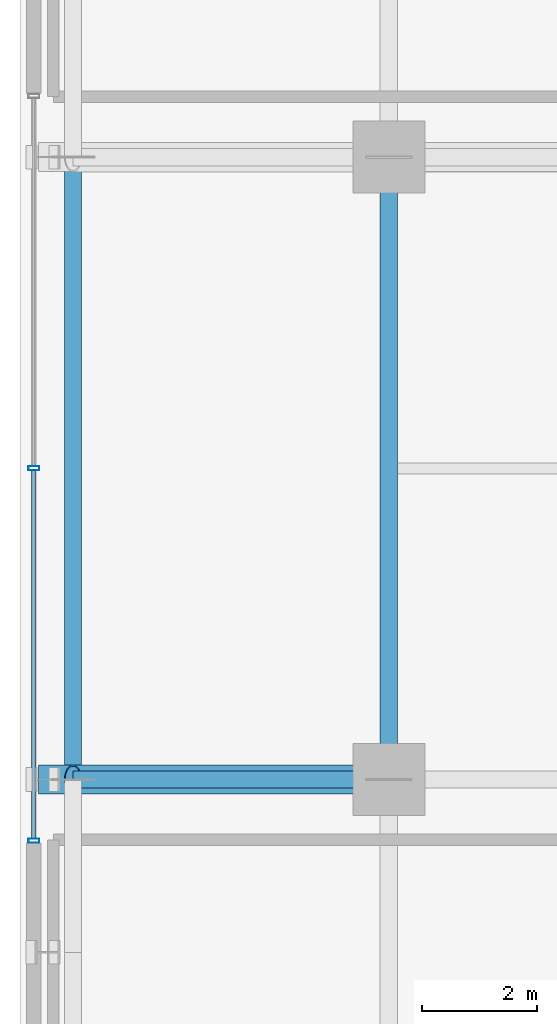
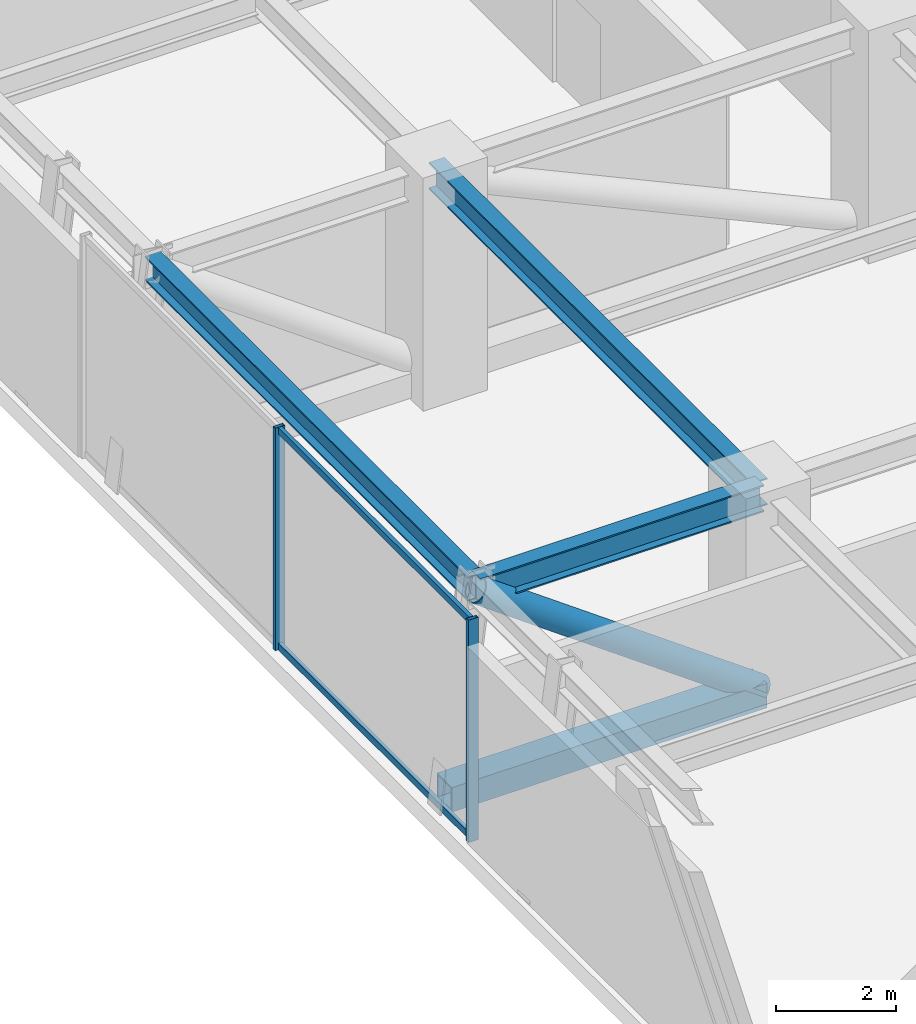
# One storey, part 2 of 15: 6 members, 3 beams, 1 element without a shape of its own.
"""IFC4 building model written with IfcOpenShell, lengths in metres."""

import ifcopenshell
import ifcopenshell.guid

model = None  # the IFC model being written
_history = None  # IfcOwnerHistory: only IFC2X3 demands one
_inside = {}  # id of a spatial element -> (the spatial element, [elements in it])
_under = {}  # id of a project, library or spatial element -> (it, [spatial elements below it])
_declared = {}  # id of a project -> (the project, [libraries it declares])
_typed = {}  # id of a type object -> (the type object, [elements of that type])
_made_of = {}  # id of a material, layer set ... -> (it, [elements and type objects made of it])


def new_model(schema):
    """Start an empty IFC model of exactly this schema.

    Asked for "IFC4X3", IfcOpenShell would pick the latest addendum, in which some entities
    have other attributes; the version numbers below select the first issue.
    IFC2X3 requires an IfcOwnerHistory on every rooted entity: one is made here for all.
    """
    global model, _history
    if schema == "IFC4X3":
        model = ifcopenshell.file(schema_version=(4, 3, 0, 0))
    else:
        model = ifcopenshell.file(schema=schema)
    _inside.clear()
    _under.clear()
    _declared.clear()
    _typed.clear()
    _made_of.clear()
    _history = None
    if model.schema == "IFC2X3":
        org = make("IfcOrganization", Name="unknown")
        user = make(
            "IfcPersonAndOrganization",
            ThePerson=make("IfcPerson", FamilyName="unknown"),
            TheOrganization=org,
        )
        app = make(
            "IfcApplication",
            ApplicationDeveloper=org,
            Version="unknown",
            ApplicationFullName="unknown",
            ApplicationIdentifier="unknown",
        )
        _history = make(
            "IfcOwnerHistory",
            OwningUser=user,
            OwningApplication=app,
            ChangeAction="ADDED",
            CreationDate=0,
        )
    return model


def make(cls, **values):
    """One entity of the class cls with the attributes given. An attribute that is None is left unset."""
    return model.create_entity(
        cls, **{name: value for name, value in values.items() if value is not None}
    )


def rooted(cls, **values):
    """An entity with a GlobalId (a new one), such as an element, a storey or a relation."""
    return make(cls, GlobalId=ifcopenshell.guid.new(), OwnerHistory=_history, **values)


def si_unit(unit_type, name, prefix=None):
    """IfcSIUnit, for example si_unit("LENGTHUNIT", "METRE", prefix="MILLI")."""
    return make("IfcSIUnit", UnitType=unit_type, Prefix=prefix, Name=name)


def assignment(units):
    """IfcUnitAssignment: the units of a project."""
    return None if units is None else make("IfcUnitAssignment", Units=units)


def point(xyz):
    """IfcCartesianPoint."""
    return None if xyz is None else make("IfcCartesianPoint", Coordinates=xyz)


def direction(xyz):
    """IfcDirection."""
    return None if xyz is None else make("IfcDirection", DirectionRatios=xyz)


def frame(location, z_axis=None, x_axis=None):
    """IfcAxis2Placement3D, a coordinate frame: its origin and axes. An axis left out is left unset."""
    return make(
        "IfcAxis2Placement3D",
        Location=point(location),
        Axis=direction(z_axis),
        RefDirection=direction(x_axis),
    )


def frame_2d(location, x_axis=None):
    """IfcAxis2Placement2D, a coordinate frame in the plane: its origin and x axis."""
    return make(
        "IfcAxis2Placement2D", Location=point(location), RefDirection=direction(x_axis)
    )


def origin():
    """The frame at (0, 0, 0) with its axes left unset."""
    return frame((0.0, 0.0, 0.0))


def origin_2d():
    """The frame at (0, 0) in the plane with its x axis left unset."""
    return frame_2d((0.0, 0.0))


def place(relative_to, where):
    """IfcLocalPlacement: puts the frame where relative to a parent placement (None: the world)."""
    return make(
        "IfcLocalPlacement", PlacementRelTo=relative_to, RelativePlacement=where
    )


def context(
    kind, dimensions, precision=None, world=None, true_north=None, identifier=None
):
    """IfcGeometricRepresentationContext, for example the 3D "Model" context."""
    return make(
        "IfcGeometricRepresentationContext",
        ContextIdentifier=identifier,
        ContextType=kind,
        CoordinateSpaceDimension=dimensions,
        Precision=precision,
        WorldCoordinateSystem=world,
        TrueNorth=true_north,
    )


def subcontext(parent, identifier, kind, view, scale=None):
    """IfcGeometricRepresentationSubContext, for example "Body" below "Model"."""
    return make(
        "IfcGeometricRepresentationSubContext",
        ContextIdentifier=identifier,
        ContextType=kind,
        ParentContext=parent,
        TargetScale=scale,
        TargetView=view,
    )


def project(units=None, contexts=None):
    """IfcProject with its units and contexts."""
    return rooted(
        "IfcProject",
        Name="project",
        RepresentationContexts=contexts,
        UnitsInContext=assignment(units),
    )


def spatial(cls, under=None, at=None, **own):
    """A site, building, storey or space (cls), placed at a placement, below another one or the project."""
    s = rooted(cls, ObjectPlacement=at, **own)
    if under is not None:
        _under.setdefault(under.id(), (under, []))[1].append(s)
    return s


def profile(cls, at=None, kind="AREA", **sizes):
    """A parametric profile (cls). Its sizes go by their IFC names, for example OverallWidth=200.0."""
    return make(cls, ProfileType=kind, Position=at, **sizes)


def hollow_rectangle(**sizes):
    """IfcRectangleHollowProfileDef."""
    return profile("IfcRectangleHollowProfileDef", **sizes)


def hollow_circle(**sizes):
    """IfcCircleHollowProfileDef."""
    return profile("IfcCircleHollowProfileDef", **sizes)


def i_section(**sizes):
    """IfcIShapeProfileDef."""
    return profile("IfcIShapeProfileDef", **sizes)


def extrude(swept, where, along, depth):
    """IfcExtrudedAreaSolid: the profile swept, set in the frame where, extruded along a direction by depth."""
    return make(
        "IfcExtrudedAreaSolid",
        SweptArea=swept,
        Position=where,
        ExtrudedDirection=direction(along),
        Depth=depth,
    )


def shape(context_of_items, identifier, shape_type, items):
    """IfcShapeRepresentation: the items that make up one representation, for example the "Body"."""
    return make(
        "IfcShapeRepresentation",
        ContextOfItems=context_of_items,
        RepresentationIdentifier=identifier,
        RepresentationType=shape_type,
        Items=items,
    )


def source(mapping_origin, context_of_items, identifier, shape_type, items):
    """IfcRepresentationMap: a shape defined once, which mapped items show again and again."""
    return make(
        "IfcRepresentationMap",
        MappingOrigin=mapping_origin,
        MappedRepresentation=shape(context_of_items, identifier, shape_type, items),
    )


def transform(
    local_origin,
    x_axis=None,
    y_axis=None,
    z_axis=None,
    scale=None,
    scale2=None,
    scale3=None,
    uniform=True,
):
    """IfcCartesianTransformationOperator3D, or its non-uniform kind. x_axis, y_axis, z_axis: its Axis1, 2, 3."""
    if uniform:
        return make(
            "IfcCartesianTransformationOperator3D",
            Axis1=direction(x_axis),
            Axis2=direction(y_axis),
            LocalOrigin=point(local_origin),
            Scale=scale,
            Axis3=direction(z_axis),
        )
    return make(
        "IfcCartesianTransformationOperator3DnonUniform",
        Axis1=direction(x_axis),
        Axis2=direction(y_axis),
        LocalOrigin=point(local_origin),
        Scale=scale,
        Axis3=direction(z_axis),
        Scale2=scale2,
        Scale3=scale3,
    )


def mapped(mapping_source, mapping_target):
    """IfcMappedItem: shows the shape of a source again, moved by a transform."""
    return make(
        "IfcMappedItem", MappingSource=mapping_source, MappingTarget=mapping_target
    )


def material(Name=None, Category=None):
    """IfcMaterial."""
    return make("IfcMaterial", Name=Name, Category=Category)


def material_profile(
    of_material, cross_section, Name=None, Category=None, Priority=None
):
    """IfcMaterialProfile: a cross section and its material."""
    return make(
        "IfcMaterialProfile",
        Name=Name,
        Material=of_material,
        Profile=cross_section,
        Priority=Priority,
        Category=Category,
    )


def profile_set(profiles, Name=None, composite=None):
    """IfcMaterialProfileSet."""
    return make(
        "IfcMaterialProfileSet",
        Name=Name,
        MaterialProfiles=profiles,
        CompositeProfile=composite,
    )


def made_of(thing, what):
    """Note that an element or type object is made of a material, layer set ...; save() writes the relation."""
    if what is not None:
        _made_of.setdefault(what.id(), (what, []))[1].append(thing)
    return thing


def type_object(cls, material=None, **own):
    """A type object (cls), such as IfcWallType, which elements share."""
    return made_of(rooted(cls, **own), material)


def element(
    cls,
    number,
    at=None,
    inside=None,
    cuts=None,
    type_object=None,
    material=None,
    context=None,
    identifier="Body",
    shape_type=None,
    held_by="IfcProductDefinitionShape",
    body=None,
    shapes=None,
    **own,
):
    """One element of the class cls, such as IfcWall. Its Tag is "e" and its number.

    at: its placement. inside: the storey or other place that contains it. cuts: it is an
    opening in that element (IfcRelVoidsElement). A single representation is given by context,
    identifier, shape_type and body (its items); several are given by shapes. held_by: the class
    of the entity that holds the representations. save() writes the other relations.
    """
    e = rooted(cls, Tag="e%d" % number, ObjectPlacement=at, **own)
    if body is not None:
        shapes = [shape(context, identifier, shape_type, body)]
    if shapes is not None:
        e.Representation = make(held_by, Representations=shapes)
    if inside is not None:
        _inside.setdefault(inside.id(), (inside, []))[1].append(e)
    if cuts is not None:
        rooted(
            "IfcRelVoidsElement", RelatingBuildingElement=cuts, RelatedOpeningElement=e
        )
    if type_object is not None:
        _typed.setdefault(type_object.id(), (type_object, []))[1].append(e)
    return made_of(e, material)


def aggregate(whole, parts):
    """IfcRelAggregates: a whole, such as a stair, and the parts it consists of."""
    return rooted("IfcRelAggregates", RelatingObject=whole, RelatedObjects=parts)


def save(model, path):
    """Write the relations noted so far, then the file.

    IfcRelAggregates (storeys below a building ...), IfcRelContainedInSpatialStructure (elements
    in a storey), IfcRelDefinesByType, IfcRelAssociatesMaterial and IfcRelDeclares: one each for
    every whole, place, type object, material and project.
    """
    for whole, parts in _under.values():
        aggregate(whole, parts)
    for where, things in _inside.values():
        rooted(
            "IfcRelContainedInSpatialStructure",
            RelatedElements=things,
            RelatingStructure=where,
        )
    for kind, things in _typed.values():
        rooted("IfcRelDefinesByType", RelatedObjects=things, RelatingType=kind)
    for what, things in _made_of.values():
        rooted("IfcRelAssociatesMaterial", RelatedObjects=things, RelatingMaterial=what)
    for by, libraries in _declared.values():
        rooted("IfcRelDeclares", RelatingContext=by, RelatedDefinitions=libraries)
    model.write(path)


model = new_model("IFC4")

# Units and contexts
model_context = context("Model", 3, precision=1e-05, world=origin(), true_north=direction((0.0, 1.0)))
body_context = subcontext(model_context, "Body", "Model", "MODEL_VIEW")
ifc_project = project(units=[si_unit("LENGTHUNIT", "METRE"), si_unit("AREAUNIT", "SQUARE_METRE"), si_unit("VOLUMEUNIT", "CUBIC_METRE"), si_unit("PLANEANGLEUNIT", "RADIAN"), si_unit("MASSUNIT", "GRAM", prefix="KILO")], contexts=[model_context])

# Site, building, storey
site_placement = place(None, origin())
site = spatial("IfcSite", under=ifc_project, at=site_placement, CompositionType="ELEMENT")
building_placement = place(site_placement, origin())
building = spatial("IfcBuilding", under=site, at=building_placement, Name="Nahalor Promenade Grand Hotel", CompositionType="ELEMENT")
storey_placement = place(building_placement, frame((0.0, 0.0, 144.199951171875)))
storey = spatial("IfcBuildingStorey", under=building, at=storey_placement, Name="L36", CompositionType="ELEMENT", Elevation=144.199951171875)

# Beams
ifc_material_1 = material(Name="Steel S355JR", Category="steel")
ifc_material_profile_1 = material_profile(ifc_material_1, i_section(OverallWidth=0.3, OverallDepth=0.5, WebThickness=0.0145, FlangeThickness=0.028, at=origin_2d()), Name="HEB 500")
ifc_profile_set_1 = profile_set([ifc_material_profile_1], Name="Steel S355JR")
beam_type_1 = type_object("IfcBeamType", Name="Beam-Spandrel-HEB500", PredefinedType="SPANDREL", material=ifc_profile_set_1)
shared_shape_1 = source(origin(), body_context, "Body", "SweptSolid", [
    extrude(i_section(OverallWidth=0.3, OverallDepth=0.5, WebThickness=0.0145, FlangeThickness=0.028, at=origin_2d()), origin(), (0.0, 0.0, 1.0), 10.7998046875),
])
beam_1_placement = place(storey_placement, frame((-22.47998046875, -5.39990234375, 4.2900390625), z_axis=(0.0, 1.0, 0.0), x_axis=(-1.0, 0.0, 0.0)))
element("IfcBeam", 1, at=beam_1_placement, inside=storey, type_object=beam_type_1, Name="BM-L36-SP-W-2", PredefinedType="SPANDREL", context=body_context, shape_type="MappedRepresentation", body=[
    mapped(shared_shape_1, transform((0.0, 0.0, 0.0), scale=1.0)),
])
ifc_material_profile_2 = material_profile(ifc_material_1, i_section(OverallWidth=0.3, OverallDepth=0.55, WebThickness=0.015, FlangeThickness=0.029, at=origin_2d()), Name="HEB 550")
ifc_profile_set_2 = profile_set([ifc_material_profile_2], Name="Steel S355JR")
beam_type_2 = type_object("IfcBeamType", Name="Beam-Girder-HEB550", PredefinedType="BEAM", material=ifc_profile_set_2)
shared_shape_2 = source(origin(), body_context, "Body", "SweptSolid", [
    extrude(i_section(OverallWidth=0.3, OverallDepth=0.55, WebThickness=0.015, FlangeThickness=0.029, at=origin_2d()), origin(), (0.0, 0.0, 1.0), 10.7998046875),
])
beam_2_placement = place(storey_placement, frame((-17.0, -5.39990234375, 4.26513671875), z_axis=(0.0, 1.0, 0.0), x_axis=(-1.0, 0.0, 0.0)))
element("IfcBeam", 2, at=beam_2_placement, inside=storey, type_object=beam_type_2, Name="BM-L36-GY-0-2", PredefinedType="BEAM", context=body_context, shape_type="MappedRepresentation", body=[
    mapped(shared_shape_2, transform((0.0, 0.0, 0.0), scale=1.0)),
])
shared_shape_3 = source(origin(), body_context, "Body", "SweptSolid", [
    extrude(i_section(OverallWidth=0.3, OverallDepth=0.55, WebThickness=0.015, FlangeThickness=0.029, at=origin_2d()), origin(), (0.0, 0.0, 1.0), 5.47998046875),
])
beam_3_placement = place(storey_placement, frame((-22.47998046875, -5.39990234375, 4.26513671875), z_axis=(1.0, 0.0, 0.0), x_axis=(0.0, 1.0, 0.0)))
element("IfcBeam", 3, at=beam_3_placement, inside=storey, type_object=beam_type_2, Name="BM-L36-GX-1-0", PredefinedType="BEAM", context=body_context, shape_type="MappedRepresentation", body=[
    mapped(shared_shape_3, transform((0.0, 0.0, 0.0), scale=1.0)),
])

# Members
ifc_material_2 = material(Name="Steel S355J2", Category="steel")
ifc_material_profile_3 = material_profile(ifc_material_2, hollow_circle(Radius=0.254, WallThickness=0.025, at=origin_2d()), Name="CHS 508x25")
ifc_profile_set_3 = profile_set([ifc_material_profile_3], Name="Steel S355J2")
member_type_1 = type_object("IfcMemberType", Name="Mem-OutDiag-CHS508", PredefinedType="BRACE", material=ifc_profile_set_3)
shared_shape_4 = source(origin(), body_context, "Body", "SweptSolid", [
    extrude(hollow_circle(Radius=0.254, WallThickness=0.025, at=origin_2d()), origin(), (0.0, 0.0, 1.0), 6.755126953125),
])
member_1_placement = place(storey_placement, frame((-17.0, -5.39990234375, 0.300048828125), z_axis=(-0.811227809451, 0.0, 0.5847302294), x_axis=(0.0, -1.0, 0.0)))
element("IfcMember", 4, at=member_1_placement, inside=storey, type_object=member_type_1, Name="OU-L36-W1-D1", PredefinedType="BRACE", context=body_context, shape_type="MappedRepresentation", body=[
    mapped(shared_shape_4, transform((0.0, 0.0, 0.0), scale=1.0)),
])
ifc_material_profile_4 = material_profile(ifc_material_2, hollow_rectangle(XDim=0.5, YDim=0.5, WallThickness=0.032, at=origin_2d()), Name="SHS 500x500x32")
ifc_profile_set_4 = profile_set([ifc_material_profile_4], Name="Steel S355J2")
member_type_2 = type_object("IfcMemberType", Name="Mem-Chord-SHS500", PredefinedType="CHORD", material=ifc_profile_set_4)
shared_shape_5 = source(origin(), body_context, "Body", "SweptSolid", [
    extrude(hollow_rectangle(XDim=0.5, YDim=0.5, WallThickness=0.032, at=origin_2d()), origin(), (0.0, 0.0, 1.0), 6.080078125),
])
member_2_placement = place(storey_placement, frame((-17.0, -5.39990234375, 0.300048828125), z_axis=(-1.0, 0.0, 0.0), x_axis=(0.0, -1.0, 0.0)))
element("IfcMember", 5, at=member_2_placement, inside=storey, type_object=member_type_2, Name="OU-L36-W1-C1", PredefinedType="CHORD", context=body_context, shape_type="MappedRepresentation", body=[
    mapped(shared_shape_5, transform((0.0, 0.0, 0.0), scale=1.0)),
])

# Curtain wall, members
ifc_material_3 = material(Name="Anodised Bronze Aluminium EN AW-6063 T6", Category="aluminium")
curtain_wall_type = type_object("IfcCurtainWallType", Name="CW6 Crown Botanical Conservatory Curtain Wall", PredefinedType="USERDEFINED", material=ifc_material_3)
curtain_wall_placement = place(storey_placement, origin())
curtain_wall = element("IfcCurtainWall", 6, at=curtain_wall_placement, inside=storey, type_object=curtain_wall_type, Name="L36 Curtain Wall CW-L36-W", ObjectType="UNITISED_CURTAIN_WALL", PredefinedType="USERDEFINED")
ifc_material_profile_5 = material_profile(ifc_material_3, hollow_rectangle(XDim=0.075, YDim=0.135, WallThickness=0.004, at=origin_2d()), Name="CWT 75x135x4")
ifc_profile_set_5 = profile_set([ifc_material_profile_5], Name="Anodised Bronze Aluminium EN AW-6063 T6")
member_type_3 = type_object("IfcMemberType", Name="CWT6 Conservatory Transom 75x135", PredefinedType="USERDEFINED", material=ifc_profile_set_5)
shared_shape_6 = source(origin(), body_context, "Body", "SweptSolid", [
    extrude(hollow_rectangle(XDim=0.075, YDim=0.135, WallThickness=0.004, at=origin_2d()), origin(), (0.0, 0.0, 1.0), 6.387451171875),
])
member_3_placement = place(storey_placement, frame((-23.159912109375, -6.425048828125, 0.067626953125), z_axis=(0.0, 1.0, 0.0), x_axis=(-1.0, 0.0, 0.0)))
member_3 = element("IfcMember", 7, at=member_3_placement, type_object=member_type_3, Name="CW-L36-W Transom 0-0", ObjectType="TRANSOM", PredefinedType="USERDEFINED", context=body_context, shape_type="MappedRepresentation", body=[
    mapped(shared_shape_6, transform((0.0, 0.0, 0.0), scale=1.0)),
])
member_4_placement = place(storey_placement, frame((-23.159912109375, -6.425048828125, 4.47265625), z_axis=(0.0, 1.0, 0.0), x_axis=(-1.0, 0.0, 0.0)))
member_4 = element("IfcMember", 8, at=member_4_placement, type_object=member_type_3, Name="CW-L36-W Transom 0-1", ObjectType="TRANSOM", PredefinedType="USERDEFINED", context=body_context, shape_type="MappedRepresentation", body=[
    mapped(shared_shape_6, transform((0.0, 0.0, 0.0), scale=1.0)),
])
ifc_material_profile_6 = material_profile(ifc_material_3, hollow_rectangle(XDim=0.075, YDim=0.19, WallThickness=0.005, at=origin_2d()), Name="CWM 75x190x5")
ifc_profile_set_6 = profile_set([ifc_material_profile_6], Name="Anodised Bronze Aluminium EN AW-6063 T6")
member_type_4 = type_object("IfcMemberType", Name="CWM6 Conservatory Bronze Mullion 75x190", PredefinedType="MULLION", material=ifc_profile_set_6)
shared_shape_7 = source(origin(), body_context, "Body", "SweptSolid", [
    extrude(hollow_rectangle(XDim=0.075, YDim=0.19, WallThickness=0.005, at=origin_2d()), origin(), (0.0, 0.0, 1.0), 4.5400390625),
])
member_5_placement = place(storey_placement, frame((-23.159912109375, -6.46240234375, 0.0), z_axis=(0.0, 0.0, 1.0), x_axis=(0.0, 1.0, 0.0)))
member_5 = element("IfcMember", 9, at=member_5_placement, type_object=member_type_4, Name="CW-L36-W Mullion 0", PredefinedType="MULLION", context=body_context, shape_type="MappedRepresentation", body=[
    mapped(shared_shape_7, transform((0.0, 0.0, 0.0), scale=1.0)),
])
member_6_placement = place(storey_placement, frame((-23.159912109375, 0.0, 0.0), z_axis=(0.0, 0.0, 1.0), x_axis=(0.0, 1.0, 0.0)))
member_6 = element("IfcMember", 10, at=member_6_placement, type_object=member_type_4, Name="CW-L36-W Mullion 1", PredefinedType="MULLION", context=body_context, shape_type="MappedRepresentation", body=[
    mapped(shared_shape_7, transform((0.0, 0.0, 0.0), scale=1.0)),
])
aggregate(curtain_wall, [member_5, member_6, member_3, member_4])

save(model, "model.ifc")
